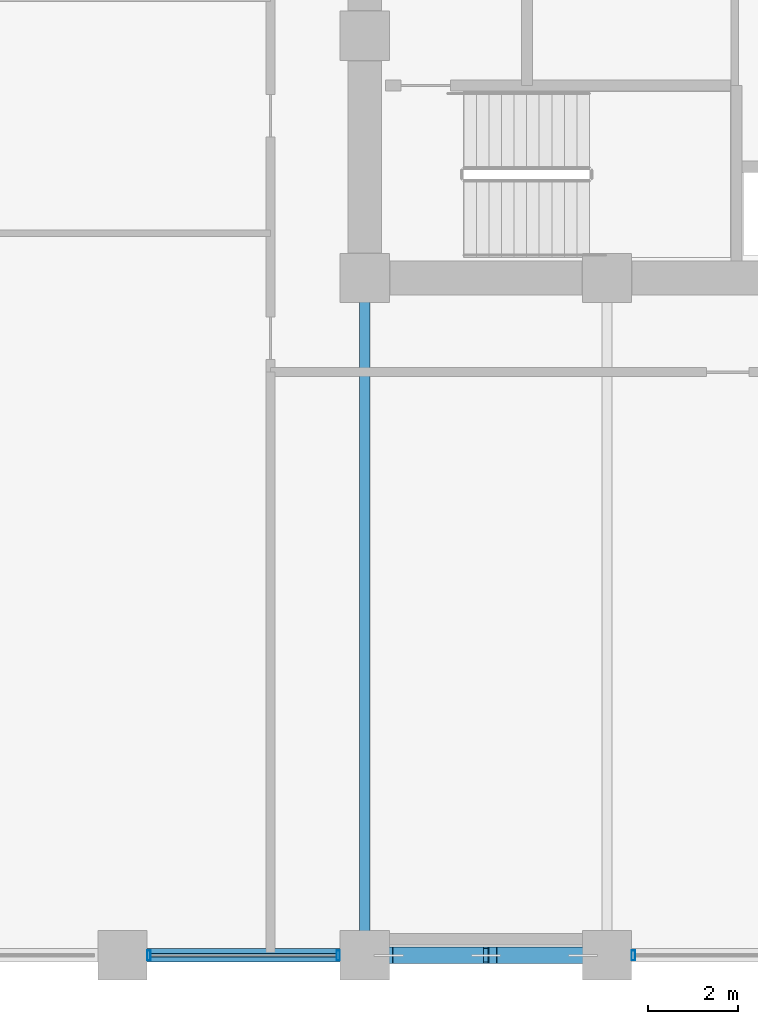
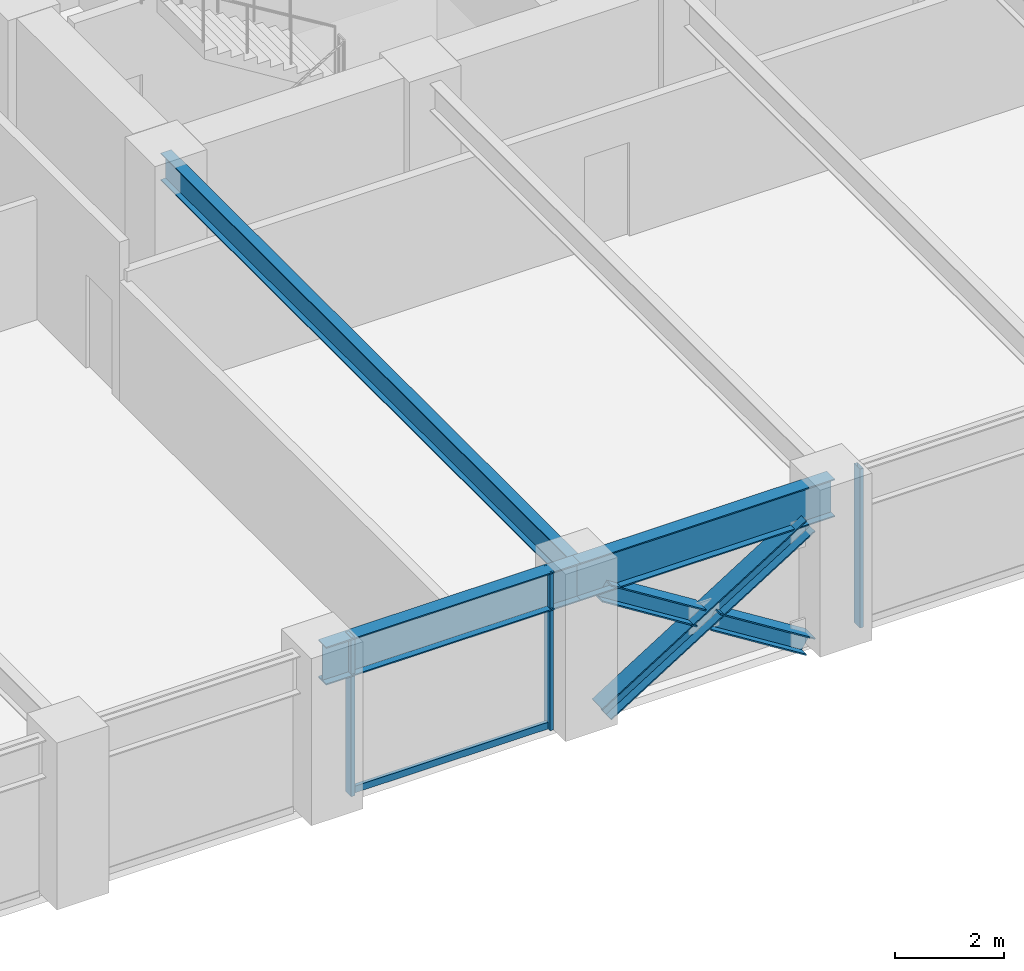
# One storey, part 4 of 25: 7 members, 3 beams, 2 elements without a shape of their own.
"""IFC4 building model written with IfcOpenShell, lengths in metres."""

from ifc_helpers import new_model, si_unit, direction, frame, origin, origin_2d, place, context, subcontext, project, spatial, hollow_rectangle, i_section, extrude, material, layer, layer_set, material_profile, profile_set, type_object, element, aggregate, save


model = new_model("IFC4")

# Units and contexts
model_context = context("Model", 3, precision=1e-05, world=origin(), true_north=direction((0.0, 1.0)))
body_context = subcontext(model_context, "Body", "Model", "MODEL_VIEW")
ifc_project = project(units=[si_unit("LENGTHUNIT", "METRE"), si_unit("AREAUNIT", "SQUARE_METRE"), si_unit("VOLUMEUNIT", "CUBIC_METRE"), si_unit("PLANEANGLEUNIT", "RADIAN"), si_unit("MASSUNIT", "GRAM", prefix="KILO")], contexts=[model_context])

# Site, building, storey
site_placement = place(None, origin())
site = spatial("IfcSite", under=ifc_project, at=site_placement, CompositionType="ELEMENT")
building_placement = place(site_placement, origin())
building = spatial("IfcBuilding", under=site, at=building_placement, Name="Surkhivell Harbour Commons", CompositionType="ELEMENT")
storey_placement = place(building_placement, frame((0.0, 0.0, 98.25)))
storey = spatial("IfcBuildingStorey", under=building, at=storey_placement, Name="L25", CompositionType="ELEMENT", Elevation=98.25)

# Beams
ifc_material_1 = material(Name="Steel S355", Category="steel")
ifc_material_profile_1 = material_profile(ifc_material_1, i_section(OverallWidth=0.22998046875, OverallDepth=0.616943359375, WebThickness=0.01318359375, FlangeThickness=0.022216796875, at=origin_2d()), Name="UB610x229x140")
ifc_profile_set_1 = profile_set([ifc_material_profile_1], Name="Steel S355")
beam_type_1 = type_object("IfcBeamType", Name="BM-GRD-610B", PredefinedType="BEAM", material=ifc_profile_set_1)
beam_1_placement = place(storey_placement, frame((-10.800048828125, -25.89990234375, 3.261474609375), z_axis=(0.0, 1.0, 0.0), x_axis=(-1.0, 0.0, 0.0)))
element("IfcBeam", 1, at=beam_1_placement, inside=storey, type_object=beam_type_1, Name="L25 Floor Girder (-10.8,-25.9)", PredefinedType="BEAM", context=body_context, shape_type="SweptSolid", body=[
    extrude(i_section(OverallWidth=0.22998046875, OverallDepth=0.616943359375, WebThickness=0.01318359375, FlangeThickness=0.022216796875, at=origin_2d()), origin(), (0.0, 0.0, 1.0), 15.099853515625),
])
ifc_material_2 = material(Name="Steel S460", Category="steel")
ifc_material_profile_2 = material_profile(ifc_material_2, i_section(OverallWidth=0.2939453125, OverallDepth=0.85107421875, WebThickness=0.01611328125, FlangeThickness=0.02685546875, at=origin_2d()), Name="UB838x292x226")
ifc_profile_set_2 = profile_set([ifc_material_profile_2], Name="Steel S460")
beam_type_2 = type_object("IfcBeamType", Name="BM-SPN-838", PredefinedType="SPANDREL", material=ifc_profile_set_2)
beam_2_placement = place(storey_placement, frame((-16.199951171875, -25.89990234375, 3.14453125), z_axis=(1.0, 0.0, 0.0), x_axis=(0.0, 1.0, 0.0)))
element("IfcBeam", 2, at=beam_2_placement, inside=storey, type_object=beam_type_2, Name="L25 Tube Spandrel (-16.2,-25.9)", PredefinedType="SPANDREL", context=body_context, shape_type="SweptSolid", body=[
    extrude(i_section(OverallWidth=0.2939453125, OverallDepth=0.85107421875, WebThickness=0.01611328125, FlangeThickness=0.02685546875, at=origin_2d()), origin(), (0.0, 0.0, 1.0), 5.39990234375),
])
beam_3_placement = place(storey_placement, frame((-10.800048828125, -25.89990234375, 3.14453125), z_axis=(1.0, 0.0, 0.0), x_axis=(0.0, 1.0, 0.0)))
element("IfcBeam", 3, at=beam_3_placement, inside=storey, type_object=beam_type_2, Name="L25 Tube Spandrel (-10.8,-25.9)", PredefinedType="SPANDREL", context=body_context, shape_type="SweptSolid", body=[
    extrude(i_section(OverallWidth=0.2939453125, OverallDepth=0.85107421875, WebThickness=0.01611328125, FlangeThickness=0.02685546875, at=origin_2d()), origin(), (0.0, 0.0, 1.0), 5.400146484375),
])

# Curtain wall, members
ifc_material_3 = material(Name="Anodised pale-metal aluminium and insulated glazing", Category="aluminium")
ifc_layer = layer(ifc_material_3, 0.205078125)
ifc_layer_set = layer_set([ifc_layer], Name="Anodised pale-metal aluminium and insulated glazing")
curtain_wall_type = type_object("IfcCurtainWallType", Name="CW-SYS-Z2", PredefinedType="NOTDEFINED", material=ifc_layer_set)
curtain_wall_1_placement = place(storey_placement, origin())
curtain_wall_1 = element("IfcCurtainWall", 4, at=curtain_wall_1_placement, inside=storey, type_object=curtain_wall_type, Name="L25 Curtain Wall CW-L25-E00S1", PredefinedType="NOTDEFINED")
ifc_material_4 = material(Name="Anodised pale-metal aluminium alloy 6063-T6", Category="aluminium")
ifc_material_profile_3 = material_profile(ifc_material_4, hollow_rectangle(XDim=0.074951171875, YDim=0.219970703125, WallThickness=0.00390625, at=origin_2d()), Name="ALU-MULL-75x220")
ifc_profile_set_3 = profile_set([ifc_material_profile_3], Name="Anodised pale-metal aluminium alloy 6063-T6")
member_type_1 = type_object("IfcMemberType", Name="CWM-220", PredefinedType="MULLION", material=ifc_profile_set_3)
member_1_placement = place(storey_placement, frame((-15.610595703125, -25.89990234375, 0.0), z_axis=(0.0, 0.0, 1.0), x_axis=(1.0, 0.0, 0.0)))
member_1 = element("IfcMember", 5, at=member_1_placement, type_object=member_type_1, Name="CW-Z2 mullion 3", PredefinedType="MULLION", context=body_context, shape_type="SweptSolid", body=[
    extrude(hollow_rectangle(XDim=0.074951171875, YDim=0.219970703125, WallThickness=0.00390625, at=origin_2d()), origin(), (0.0, 0.0, 1.0), 3.570068359375),
])
member_2_placement = place(storey_placement, frame((-11.389404296875, -25.89990234375, 0.0), z_axis=(0.0, 0.0, 1.0), x_axis=(1.0, 0.0, 0.0)))
member_2 = element("IfcMember", 6, at=member_2_placement, type_object=member_type_1, Name="CW-Z2 mullion 4", PredefinedType="MULLION", context=body_context, shape_type="SweptSolid", body=[
    extrude(hollow_rectangle(XDim=0.074951171875, YDim=0.219970703125, WallThickness=0.00390625, at=origin_2d()), origin(), (0.0, 0.0, 1.0), 3.570068359375),
])

# Curtain wall, member
curtain_wall_2_placement = place(storey_placement, origin())
curtain_wall_2 = element("IfcCurtainWall", 7, at=curtain_wall_2_placement, inside=storey, type_object=curtain_wall_type, Name="L25 Curtain Wall CW-L25-E00S2", PredefinedType="NOTDEFINED")
member_3_placement = place(storey_placement, frame((-4.810546875, -25.89990234375, 0.0), z_axis=(0.0, 0.0, 1.0), x_axis=(1.0, 0.0, 0.0)))
member_3 = element("IfcMember", 8, at=member_3_placement, type_object=member_type_1, Name="CW-Z2 mullion 1", PredefinedType="MULLION", context=body_context, shape_type="SweptSolid", body=[
    extrude(hollow_rectangle(XDim=0.074951171875, YDim=0.219970703125, WallThickness=0.00390625, at=origin_2d()), origin(), (0.0, 0.0, 1.0), 3.570068359375),
])
aggregate(curtain_wall_2, [member_3])

# Member
ifc_material_profile_4 = material_profile(ifc_material_4, hollow_rectangle(XDim=0.074951171875, YDim=0.14990234375, WallThickness=0.00341796875, at=origin_2d()), Name="ALU-TRAN-75x150")
ifc_profile_set_4 = profile_set([ifc_material_profile_4], Name="Anodised pale-metal aluminium alloy 6063-T6")
member_type_2 = type_object("IfcMemberType", Name="CWT-150", PredefinedType="USERDEFINED", material=ifc_profile_set_4)
member_4_placement = place(storey_placement, frame((-15.572998046875, -25.89990234375, 0.074951171875), z_axis=(1.0, 0.0, 0.0), x_axis=(0.0, 1.0, 0.0)))
member_4 = element("IfcMember", 9, at=member_4_placement, type_object=member_type_2, Name="CW-Z2 transom 3.1", ObjectType="TRANSOM", PredefinedType="USERDEFINED", context=body_context, shape_type="SweptSolid", body=[
    extrude(hollow_rectangle(XDim=0.074951171875, YDim=0.14990234375, WallThickness=0.00341796875, at=origin_2d()), origin(), (0.0, 0.0, 1.0), 4.14599609375),
])

aggregate(curtain_wall_1, [member_1, member_2, member_4])

# Members
ifc_material_profile_5 = material_profile(ifc_material_2, i_section(OverallWidth=0.375, OverallDepth=0.375, WebThickness=0.0166015625, FlangeThickness=0.027099609375, at=origin_2d()), Name="UC356x368x202")
ifc_profile_set_5 = profile_set([ifc_material_profile_5], Name="Steel S460")
member_type_3 = type_object("IfcMemberType", Name="MEM-BRC-UC356", PredefinedType="BRACE", material=ifc_profile_set_5)
member_5_placement = place(storey_placement, frame((-10.264892578125, -25.89990234375, 0.008056640625), z_axis=(0.847232535652, 0.0, 0.53122220448), x_axis=(0.0, 1.0, 0.0)))
element("IfcMember", 10, at=member_5_placement, inside=storey, type_object=member_type_3, Name="L25 Perimeter Mega-Brace MB- 07", PredefinedType="BRACE", context=body_context, shape_type="SweptSolid", body=[
    extrude(i_section(OverallWidth=0.375, OverallDepth=0.375, WebThickness=0.0166015625, FlangeThickness=0.027099609375, at=origin_2d()), origin(), (0.0, 0.0, 1.0), 5.110595703125),
])
member_6_placement = place(storey_placement, frame((-5.93505859375, -25.89990234375, 0.008056640625), z_axis=(-0.847206308526, 0.0, 0.53126403115), x_axis=(0.0, -1.0, 0.0)))
element("IfcMember", 11, at=member_6_placement, inside=storey, type_object=member_type_3, Name="L25 Perimeter Mega-Brace MB- 08", PredefinedType="BRACE", context=body_context, shape_type="SweptSolid", body=[
    extrude(i_section(OverallWidth=0.375, OverallDepth=0.375, WebThickness=0.0166015625, FlangeThickness=0.027099609375, at=origin_2d()), origin(), (0.0, 0.0, 1.0), 2.37548828125),
])
member_7_placement = place(storey_placement, frame((-8.25244140625, -25.89990234375, 1.461181640625), z_axis=(-0.84725256761, 0.0, 0.53119025469), x_axis=(0.0, -1.0, 0.0)))
element("IfcMember", 12, at=member_7_placement, inside=storey, type_object=member_type_3, Name="L25 Perimeter Mega-Brace MB- 09", PredefinedType="BRACE", context=body_context, shape_type="SweptSolid", body=[
    extrude(i_section(OverallWidth=0.375, OverallDepth=0.375, WebThickness=0.0166015625, FlangeThickness=0.027099609375, at=origin_2d()), origin(), (0.0, 0.0, 1.0), 2.375244140625),
])

save(model, "model.ifc")
